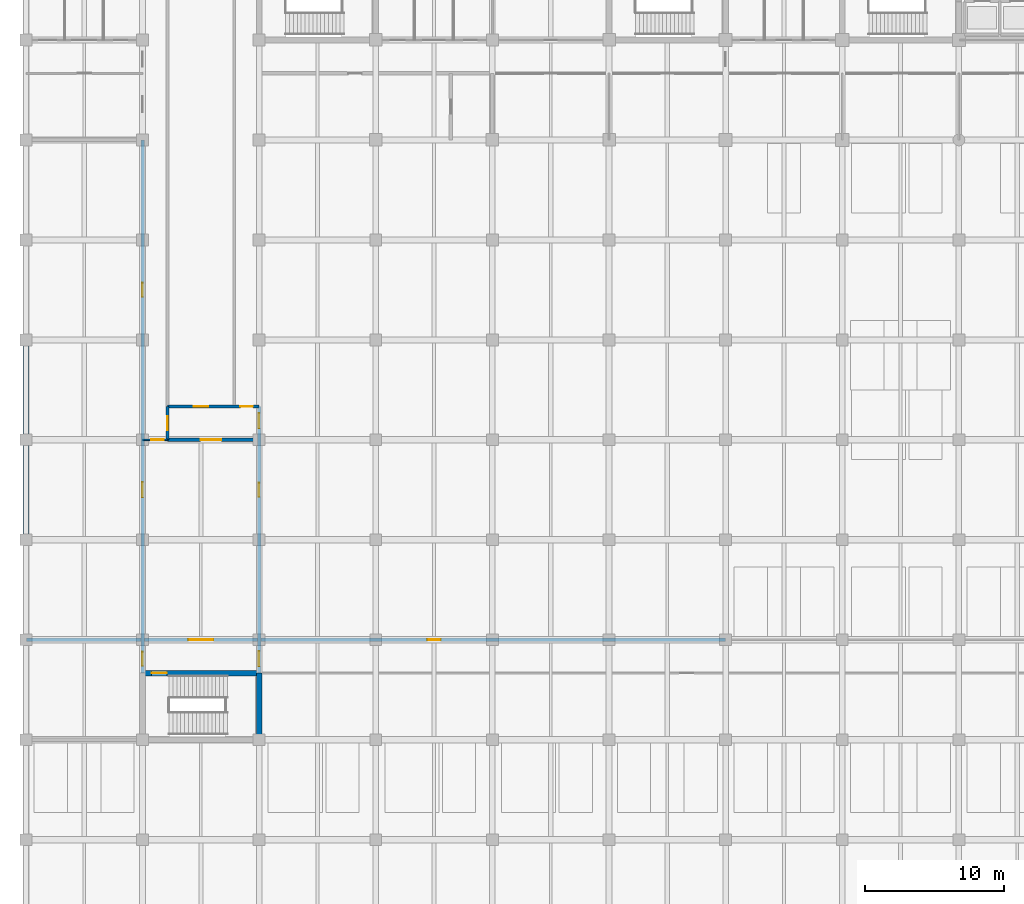
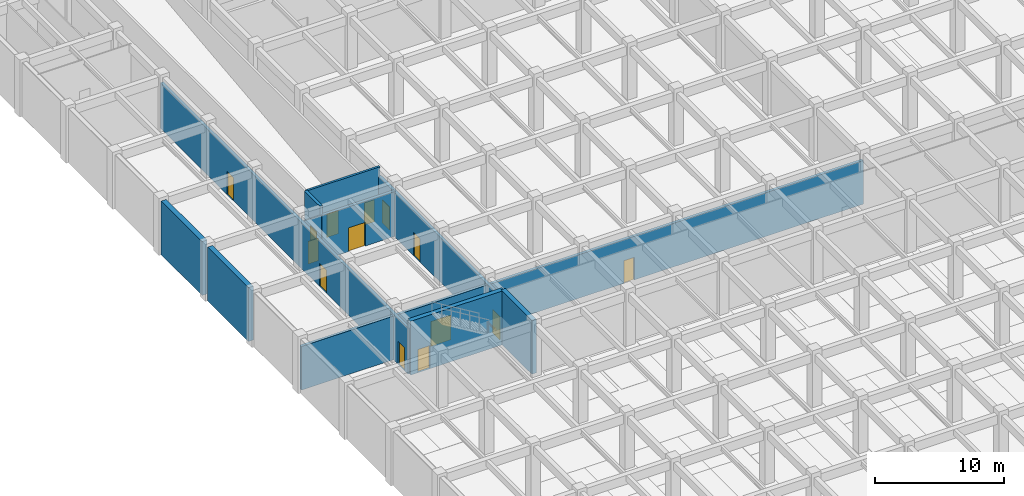
# One storey, part 13 of 48: 14 doors, 11 walls, 14 openings.
"""IFC4 building model written with IfcOpenShell, lengths in metres."""

import ifcopenshell
import ifcopenshell.guid

model = None  # the IFC model being written
_history = None  # IfcOwnerHistory: only IFC2X3 demands one
_inside = {}  # id of a spatial element -> (the spatial element, [elements in it])
_under = {}  # id of a project, library or spatial element -> (it, [spatial elements below it])
_declared = {}  # id of a project -> (the project, [libraries it declares])
_typed = {}  # id of a type object -> (the type object, [elements of that type])
_made_of = {}  # id of a material, layer set ... -> (it, [elements and type objects made of it])


def new_model(schema):
    """Start an empty IFC model of exactly this schema.

    Asked for "IFC4X3", IfcOpenShell would pick the latest addendum, in which some entities
    have other attributes; the version numbers below select the first issue.
    IFC2X3 requires an IfcOwnerHistory on every rooted entity: one is made here for all.
    """
    global model, _history
    if schema == "IFC4X3":
        model = ifcopenshell.file(schema_version=(4, 3, 0, 0))
    else:
        model = ifcopenshell.file(schema=schema)
    _inside.clear()
    _under.clear()
    _declared.clear()
    _typed.clear()
    _made_of.clear()
    _history = None
    if model.schema == "IFC2X3":
        org = make("IfcOrganization", Name="unknown")
        user = make(
            "IfcPersonAndOrganization",
            ThePerson=make("IfcPerson", FamilyName="unknown"),
            TheOrganization=org,
        )
        app = make(
            "IfcApplication",
            ApplicationDeveloper=org,
            Version="unknown",
            ApplicationFullName="unknown",
            ApplicationIdentifier="unknown",
        )
        _history = make(
            "IfcOwnerHistory",
            OwningUser=user,
            OwningApplication=app,
            ChangeAction="ADDED",
            CreationDate=0,
        )
    return model


def make(cls, **values):
    """One entity of the class cls with the attributes given. An attribute that is None is left unset."""
    return model.create_entity(
        cls, **{name: value for name, value in values.items() if value is not None}
    )


def rooted(cls, **values):
    """An entity with a GlobalId (a new one), such as an element, a storey or a relation."""
    return make(cls, GlobalId=ifcopenshell.guid.new(), OwnerHistory=_history, **values)


def si_unit(unit_type, name, prefix=None):
    """IfcSIUnit, for example si_unit("LENGTHUNIT", "METRE", prefix="MILLI")."""
    return make("IfcSIUnit", UnitType=unit_type, Prefix=prefix, Name=name)


def assignment(units):
    """IfcUnitAssignment: the units of a project."""
    return None if units is None else make("IfcUnitAssignment", Units=units)


def point(xyz):
    """IfcCartesianPoint."""
    return None if xyz is None else make("IfcCartesianPoint", Coordinates=xyz)


def direction(xyz):
    """IfcDirection."""
    return None if xyz is None else make("IfcDirection", DirectionRatios=xyz)


def frame(location, z_axis=None, x_axis=None):
    """IfcAxis2Placement3D, a coordinate frame: its origin and axes. An axis left out is left unset."""
    return make(
        "IfcAxis2Placement3D",
        Location=point(location),
        Axis=direction(z_axis),
        RefDirection=direction(x_axis),
    )


def frame_2d(location, x_axis=None):
    """IfcAxis2Placement2D, a coordinate frame in the plane: its origin and x axis."""
    return make(
        "IfcAxis2Placement2D", Location=point(location), RefDirection=direction(x_axis)
    )


def origin():
    """The frame at (0, 0, 0) with its axes left unset."""
    return frame((0.0, 0.0, 0.0))


def place(relative_to, where):
    """IfcLocalPlacement: puts the frame where relative to a parent placement (None: the world)."""
    return make(
        "IfcLocalPlacement", PlacementRelTo=relative_to, RelativePlacement=where
    )


def context(
    kind, dimensions, precision=None, world=None, true_north=None, identifier=None
):
    """IfcGeometricRepresentationContext, for example the 3D "Model" context."""
    return make(
        "IfcGeometricRepresentationContext",
        ContextIdentifier=identifier,
        ContextType=kind,
        CoordinateSpaceDimension=dimensions,
        Precision=precision,
        WorldCoordinateSystem=world,
        TrueNorth=true_north,
    )


def subcontext(parent, identifier, kind, view, scale=None):
    """IfcGeometricRepresentationSubContext, for example "Body" below "Model"."""
    return make(
        "IfcGeometricRepresentationSubContext",
        ContextIdentifier=identifier,
        ContextType=kind,
        ParentContext=parent,
        TargetScale=scale,
        TargetView=view,
    )


def project(units=None, contexts=None):
    """IfcProject with its units and contexts."""
    return rooted(
        "IfcProject",
        Name="project",
        RepresentationContexts=contexts,
        UnitsInContext=assignment(units),
    )


def spatial(cls, under=None, at=None, **own):
    """A site, building, storey or space (cls), placed at a placement, below another one or the project."""
    s = rooted(cls, ObjectPlacement=at, **own)
    if under is not None:
        _under.setdefault(under.id(), (under, []))[1].append(s)
    return s


def profile(cls, at=None, kind="AREA", **sizes):
    """A parametric profile (cls). Its sizes go by their IFC names, for example OverallWidth=200.0."""
    return make(cls, ProfileType=kind, Position=at, **sizes)


def rectangle(**sizes):
    """IfcRectangleProfileDef."""
    return profile("IfcRectangleProfileDef", **sizes)


def extrude(swept, where, along, depth):
    """IfcExtrudedAreaSolid: the profile swept, set in the frame where, extruded along a direction by depth."""
    return make(
        "IfcExtrudedAreaSolid",
        SweptArea=swept,
        Position=where,
        ExtrudedDirection=direction(along),
        Depth=depth,
    )


def shape(context_of_items, identifier, shape_type, items):
    """IfcShapeRepresentation: the items that make up one representation, for example the "Body"."""
    return make(
        "IfcShapeRepresentation",
        ContextOfItems=context_of_items,
        RepresentationIdentifier=identifier,
        RepresentationType=shape_type,
        Items=items,
    )


def material(Name=None, Category=None):
    """IfcMaterial."""
    return make("IfcMaterial", Name=Name, Category=Category)


def layer(
    of_material, thickness, ventilated=None, Name=None, Category=None, Priority=None
):
    """IfcMaterialLayer: one layer of a wall or slab, of a material (None: an air gap)."""
    return make(
        "IfcMaterialLayer",
        Material=of_material,
        LayerThickness=thickness,
        IsVentilated=ventilated,
        Name=Name,
        Category=Category,
        Priority=Priority,
    )


def layer_set(layers, Name=None):
    """IfcMaterialLayerSet."""
    return make("IfcMaterialLayerSet", MaterialLayers=layers, LayerSetName=Name)


def made_of(thing, what):
    """Note that an element or type object is made of a material, layer set ...; save() writes the relation."""
    if what is not None:
        _made_of.setdefault(what.id(), (what, []))[1].append(thing)
    return thing


def type_object(cls, material=None, **own):
    """A type object (cls), such as IfcWallType, which elements share."""
    return made_of(rooted(cls, **own), material)


def element(
    cls,
    number,
    at=None,
    inside=None,
    cuts=None,
    type_object=None,
    material=None,
    context=None,
    identifier="Body",
    shape_type=None,
    held_by="IfcProductDefinitionShape",
    body=None,
    shapes=None,
    **own,
):
    """One element of the class cls, such as IfcWall. Its Tag is "e" and its number.

    at: its placement. inside: the storey or other place that contains it. cuts: it is an
    opening in that element (IfcRelVoidsElement). A single representation is given by context,
    identifier, shape_type and body (its items); several are given by shapes. held_by: the class
    of the entity that holds the representations. save() writes the other relations.
    """
    e = rooted(cls, Tag="e%d" % number, ObjectPlacement=at, **own)
    if body is not None:
        shapes = [shape(context, identifier, shape_type, body)]
    if shapes is not None:
        e.Representation = make(held_by, Representations=shapes)
    if inside is not None:
        _inside.setdefault(inside.id(), (inside, []))[1].append(e)
    if cuts is not None:
        rooted(
            "IfcRelVoidsElement", RelatingBuildingElement=cuts, RelatedOpeningElement=e
        )
    if type_object is not None:
        _typed.setdefault(type_object.id(), (type_object, []))[1].append(e)
    return made_of(e, material)


def fill(opening, filler):
    """IfcRelFillsElement: the door or window that sits in an opening."""
    return rooted(
        "IfcRelFillsElement",
        RelatingOpeningElement=opening,
        RelatedBuildingElement=filler,
    )


def aggregate(whole, parts):
    """IfcRelAggregates: a whole, such as a stair, and the parts it consists of."""
    return rooted("IfcRelAggregates", RelatingObject=whole, RelatedObjects=parts)


def save(model, path):
    """Write the relations noted so far, then the file.

    IfcRelAggregates (storeys below a building ...), IfcRelContainedInSpatialStructure (elements
    in a storey), IfcRelDefinesByType, IfcRelAssociatesMaterial and IfcRelDeclares: one each for
    every whole, place, type object, material and project.
    """
    for whole, parts in _under.values():
        aggregate(whole, parts)
    for where, things in _inside.values():
        rooted(
            "IfcRelContainedInSpatialStructure",
            RelatedElements=things,
            RelatingStructure=where,
        )
    for kind, things in _typed.values():
        rooted("IfcRelDefinesByType", RelatedObjects=things, RelatingType=kind)
    for what, things in _made_of.values():
        rooted("IfcRelAssociatesMaterial", RelatedObjects=things, RelatingMaterial=what)
    for by, libraries in _declared.values():
        rooted("IfcRelDeclares", RelatingContext=by, RelatedDefinitions=libraries)
    model.write(path)


model = new_model("IFC4")

# Units and contexts
model_context = context("Model", 3, precision=1e-05, world=origin(), true_north=direction((0.0, 1.0)))
body_context = subcontext(model_context, "Body", "Model", "MODEL_VIEW")
ifc_project = project(units=[si_unit("LENGTHUNIT", "METRE"), si_unit("AREAUNIT", "SQUARE_METRE"), si_unit("VOLUMEUNIT", "CUBIC_METRE"), si_unit("PLANEANGLEUNIT", "RADIAN"), si_unit("MASSUNIT", "GRAM", prefix="KILO")], contexts=[model_context])

# Site, building, storey
site_placement = place(None, origin())
site = spatial("IfcSite", under=ifc_project, at=site_placement, CompositionType="ELEMENT")
building_placement = place(site_placement, origin())
building = spatial("IfcBuilding", under=site, at=building_placement, Name="Chengyuan Square Courthouse", CompositionType="ELEMENT")
storey_placement = place(building_placement, frame((0.0, 0.0, -5.39990234375)))
storey = spatial("IfcBuildingStorey", under=building, at=storey_placement, Name="B01", CompositionType="ELEMENT", Elevation=-5.39990234375)

# Wall, openings, doors
ifc_material_1 = material(Name="Concrete C40", Category="concrete")
ifc_layer_1 = layer(ifc_material_1, 0.25)
ifc_layer_set_1 = layer_set([ifc_layer_1], Name="Concrete C40")
wall_type_1 = type_object("IfcWallType", Name="WL-FW1", PredefinedType="STANDARD", material=ifc_layer_set_1)
wall_1_placement = place(storey_placement, frame((0.0400390625, 43.199951171875, 0.0), z_axis=(0.0, 0.0, 1.0), x_axis=(1.0, 0.0, 0.0)))
wall_1 = element("IfcWall", 1, at=wall_1_placement, inside=storey, type_object=wall_type_1, Name="Interior Wall WL-B01-I288", PredefinedType="STANDARD", context=body_context, shape_type="SweptSolid", body=[
    extrude(rectangle(XDim=50.35986328125, YDim=0.25, at=frame_2d((25.179931640625, 0.0))), origin(), (0.0, 0.0, 1.0), 4.1298828125),
])
opening_1_placement = place(wall_1_placement, frame((11.659912109375, 0.0, 0.0)))
opening_1 = element("IfcOpeningElement", 2, at=opening_1_placement, cuts=wall_1, Name="Opening DR-365", PredefinedType="OPENING", context=body_context, shape_type="SweptSolid", body=[
    extrude(rectangle(XDim=1.800048828125, YDim=2.35009765625, at=frame_2d((0.89990234375, 1.175048828125))), frame((0.0, 0.136962890625, 0.0), z_axis=(0.0, -1.0, 0.0), x_axis=(1.0, 0.0, 0.0)), (0.0, 0.0, 1.0), 0.27392578125),
])
opening_2_placement = place(wall_1_placement, frame((28.885009765625, 0.0, 0.0)))
opening_2 = element("IfcOpeningElement", 3, at=opening_2_placement, cuts=wall_1, Name="Opening DR-650", PredefinedType="OPENING", context=body_context, shape_type="SweptSolid", body=[
    extrude(rectangle(XDim=0.949951171875, YDim=2.14990234375, at=frame_2d((0.47509765625, 1.074951171875))), frame((0.0, 0.136962890625, 0.0), z_axis=(0.0, -1.0, 0.0), x_axis=(1.0, 0.0, 0.0)), (0.0, 0.0, 1.0), 0.27392578125),
])
ifc_material_2 = material(Name="Steel Q235B Fire Door", Category="steel")
door_type_1 = type_object("IfcDoorType", Name="DT-12", OperationType="NOTDEFINED", PredefinedType="DOOR", material=ifc_material_2)
door_1_placement = place(opening_2_placement, origin())
door_1 = element("IfcDoor", 4, at=door_1_placement, inside=storey, type_object=door_type_1, Name="Interior Door DR-650", OperationType="SINGLE_SWING_LEFT", OverallHeight=2.14990234375, OverallWidth=0.949951171875, PredefinedType="DOOR", context=body_context, shape_type="SweptSolid", body=[
    extrude(rectangle(XDim=0.949951171875, YDim=2.14990234375, at=frame_2d((0.47509765625, 1.074951171875))), frame((0.0, 0.02490234375, 0.0), z_axis=(0.0, -1.0, 0.0), x_axis=(1.0, 0.0, 0.0)), (0.0, 0.0, 1.0), 0.050048828125),
])
fill(opening_2, door_1)
ifc_material_3 = material(Name="Steel Q235B Glazed Fire Door", Category="steel")
door_type_2 = type_object("IfcDoorType", Name="DT-18", OperationType="DOUBLE_DOOR_SINGLE_SWING", PredefinedType="DOOR", material=ifc_material_3)
door_2_placement = place(opening_1_placement, frame((1.800048828125, 0.0, 0.0), z_axis=(0.0, 0.0, 1.0), x_axis=(-1.0, 0.0, 0.0)))
door_2 = element("IfcDoor", 5, at=door_2_placement, inside=storey, type_object=door_type_2, Name="Interior Door DR-365", OperationType="DOUBLE_DOOR_SINGLE_SWING", OverallHeight=2.35009765625, OverallWidth=1.800048828125, PredefinedType="DOOR", context=body_context, shape_type="SweptSolid", body=[
    extrude(rectangle(XDim=1.800048828125, YDim=2.35009765625, at=frame_2d((0.89990234375, 1.175048828125))), frame((0.0, 0.02490234375, 0.0), z_axis=(0.0, -1.0, 0.0), x_axis=(1.0, 0.0, 0.0)), (0.0, 0.0, 1.0), 0.050048828125),
])
fill(opening_1, door_2)

# Wall, opening, door
wall_2_placement = place(storey_placement, frame((10.199951171875, 57.60009765625, 0.0), z_axis=(0.0, 0.0, 1.0), x_axis=(1.0, 0.0, 0.0)))
wall_2 = element("IfcWall", 6, at=wall_2_placement, inside=storey, type_object=wall_type_1, Name="Interior Wall WL-B01-I293", PredefinedType="STANDARD", context=body_context, shape_type="SweptSolid", body=[
    extrude(rectangle(XDim=6.60009765625, YDim=0.25, at=frame_2d((3.300048828125, 0.0))), origin(), (0.0, 0.0, 1.0), 4.25),
])
opening_3_placement = place(wall_2_placement, frame((2.37744140625, 0.0, 0.0)))
opening_3 = element("IfcOpeningElement", 7, at=opening_3_placement, cuts=wall_2, Name="Opening DR-386", PredefinedType="OPENING", context=body_context, shape_type="SweptSolid", body=[
    extrude(rectangle(XDim=1.5, YDim=2.25, at=frame_2d((0.75, 1.125))), frame((0.0, 0.136962890625, 0.0), z_axis=(0.0, -1.0, 0.0), x_axis=(1.0, 0.0, 0.0)), (0.0, 0.0, 1.0), 0.27392578125),
])
door_type_3 = type_object("IfcDoorType", Name="DT-19", OperationType="DOUBLE_DOOR_SINGLE_SWING", PredefinedType="DOOR", material=ifc_material_3)
door_3_placement = place(opening_3_placement, frame((1.5, 0.0, 0.0), z_axis=(0.0, 0.0, 1.0), x_axis=(-1.0, 0.0, 0.0)))
door_3 = element("IfcDoor", 8, at=door_3_placement, inside=storey, type_object=door_type_3, Name="Interior Door DR-386", OperationType="DOUBLE_DOOR_SINGLE_SWING", OverallHeight=2.25, OverallWidth=1.5, PredefinedType="DOOR", context=body_context, shape_type="SweptSolid", body=[
    extrude(rectangle(XDim=1.5, YDim=2.25, at=frame_2d((0.75, 1.125))), frame((0.0, 0.02490234375, 0.0), z_axis=(0.0, -1.0, 0.0), x_axis=(1.0, 0.0, 0.0)), (0.0, 0.0, 1.0), 0.050048828125),
])
fill(opening_3, door_3)

# Wall, openings, doors
wall_3_placement = place(storey_placement, frame((8.39990234375, 40.800048828125, 0.0), z_axis=(0.0, 0.0, 1.0), x_axis=(0.0, 1.0, 0.0)))
wall_3 = element("IfcWall", 9, at=wall_3_placement, inside=storey, type_object=wall_type_1, Name="Interior Wall WL-B01-I433", PredefinedType="STANDARD", context=body_context, shape_type="SweptSolid", body=[
    extrude(rectangle(XDim=38.39990234375, YDim=0.25, at=frame_2d((19.199951171875, 0.0))), origin(), (0.0, 0.0, 1.0), 4.349853515625),
])
opening_4_placement = place(wall_3_placement, frame((0.527587890625, 0.0, 0.0)))
opening_4 = element("IfcOpeningElement", 10, at=opening_4_placement, cuts=wall_3, Name="Opening DR-364", PredefinedType="OPENING", context=body_context, shape_type="SweptSolid", body=[
    extrude(rectangle(XDim=1.0, YDim=2.199951171875, at=frame_2d((0.5, 1.10009765625))), frame((0.0, 0.136962890625, 0.0), z_axis=(0.0, -1.0, 0.0), x_axis=(1.0, 0.0, 0.0)), (0.0, 0.0, 1.0), 0.27392578125),
])
opening_5_placement = place(wall_3_placement, frame((27.10009765625, 0.0, 0.0)))
opening_5 = element("IfcOpeningElement", 11, at=opening_5_placement, cuts=wall_3, Name="Opening DR-382", PredefinedType="OPENING", context=body_context, shape_type="SweptSolid", body=[
    extrude(rectangle(XDim=1.0, YDim=2.199951171875, at=frame_2d((0.5, 1.10009765625))), frame((0.0, 0.136962890625, 0.0), z_axis=(0.0, -1.0, 0.0), x_axis=(1.0, 0.0, 0.0)), (0.0, 0.0, 1.0), 0.27392578125),
])
opening_6_placement = place(wall_3_placement, frame((12.64990234375, 0.0, 0.0)))
opening_6 = element("IfcOpeningElement", 12, at=opening_6_placement, cuts=wall_3, Name="Opening DR-654", PredefinedType="OPENING", context=body_context, shape_type="SweptSolid", body=[
    extrude(rectangle(XDim=1.10009765625, YDim=2.199951171875, at=frame_2d((0.550048828125, 1.10009765625))), frame((0.0, 0.136962890625, 0.0), z_axis=(0.0, -1.0, 0.0), x_axis=(1.0, 0.0, 0.0)), (0.0, 0.0, 1.0), 0.27392578125),
])
door_type_4 = type_object("IfcDoorType", Name="DT-10", OperationType="NOTDEFINED", PredefinedType="DOOR", material=ifc_material_2)
door_4_placement = place(opening_6_placement, origin())
door_4 = element("IfcDoor", 13, at=door_4_placement, inside=storey, type_object=door_type_4, Name="Interior Door DR-654", OperationType="SINGLE_SWING_LEFT", OverallHeight=2.199951171875, OverallWidth=1.10009765625, PredefinedType="DOOR", context=body_context, shape_type="SweptSolid", body=[
    extrude(rectangle(XDim=1.10009765625, YDim=2.199951171875, at=frame_2d((0.550048828125, 1.10009765625))), frame((0.0, 0.02490234375, 0.0), z_axis=(0.0, -1.0, 0.0), x_axis=(1.0, 0.0, 0.0)), (0.0, 0.0, 1.0), 0.050048828125),
])
fill(opening_6, door_4)
door_type_5 = type_object("IfcDoorType", Name="DT-11", OperationType="NOTDEFINED", PredefinedType="DOOR", material=ifc_material_2)
door_5_placement = place(opening_4_placement, origin())
door_5 = element("IfcDoor", 14, at=door_5_placement, inside=storey, type_object=door_type_5, Name="Interior Door DR-364", OperationType="SINGLE_SWING_LEFT", OverallHeight=2.199951171875, OverallWidth=1.0, PredefinedType="DOOR", context=body_context, shape_type="SweptSolid", body=[
    extrude(rectangle(XDim=1.0, YDim=2.199951171875, at=frame_2d((0.5, 1.10009765625))), frame((0.0, 0.02490234375, 0.0), z_axis=(0.0, -1.0, 0.0), x_axis=(1.0, 0.0, 0.0)), (0.0, 0.0, 1.0), 0.050048828125),
])
fill(opening_4, door_5)
door_6_placement = place(opening_5_placement, origin())
door_6 = element("IfcDoor", 15, at=door_6_placement, inside=storey, type_object=door_type_5, Name="Interior Door DR-382", OperationType="SINGLE_SWING_LEFT", OverallHeight=2.199951171875, OverallWidth=1.0, PredefinedType="DOOR", context=body_context, shape_type="SweptSolid", body=[
    extrude(rectangle(XDim=1.0, YDim=2.199951171875, at=frame_2d((0.5, 1.10009765625))), frame((0.0, 0.02490234375, 0.0), z_axis=(0.0, -1.0, 0.0), x_axis=(1.0, 0.0, 0.0)), (0.0, 0.0, 1.0), 0.050048828125),
])
fill(opening_5, door_6)

# Wall, opening, door
wall_4_placement = place(storey_placement, frame((10.199951171875, 57.60009765625, 0.0), z_axis=(0.0, 0.0, 1.0), x_axis=(0.0, 1.0, 0.0)))
wall_4 = element("IfcWall", 16, at=wall_4_placement, inside=storey, type_object=wall_type_1, Name="Interior Wall WL-B01-I436", PredefinedType="STANDARD", context=body_context, shape_type="SweptSolid", body=[
    extrude(rectangle(XDim=2.39990234375, YDim=0.25, at=frame_2d((1.199951171875, 0.0))), origin(), (0.0, 0.0, 1.0), 5.099853515625),
])
opening_7_placement = place(wall_4_placement, frame((0.699951171875, 0.0, 0.0)))
opening_7 = element("IfcOpeningElement", 17, at=opening_7_placement, cuts=wall_4, Name="Opening DR-373", PredefinedType="OPENING", context=body_context, shape_type="SweptSolid", body=[
    extrude(rectangle(XDim=1.0, YDim=2.199951171875, at=frame_2d((0.5, 1.10009765625))), frame((0.0, 0.136962890625, 0.0), z_axis=(0.0, -1.0, 0.0), x_axis=(1.0, 0.0, 0.0)), (0.0, 0.0, 1.0), 0.27392578125),
])
door_7_placement = place(opening_7_placement, origin())
door_7 = element("IfcDoor", 18, at=door_7_placement, inside=storey, type_object=door_type_5, Name="Interior Door DR-373", OperationType="SINGLE_SWING_RIGHT", OverallHeight=2.199951171875, OverallWidth=1.0, PredefinedType="DOOR", context=body_context, shape_type="SweptSolid", body=[
    extrude(rectangle(XDim=1.0, YDim=2.199951171875, at=frame_2d((0.5, 1.10009765625))), frame((0.0, 0.02490234375, 0.0), z_axis=(0.0, -1.0, 0.0), x_axis=(1.0, 0.0, 0.0)), (0.0, 0.0, 1.0), 0.050048828125),
])
fill(opening_7, door_7)

# Wall, openings, doors
wall_5_placement = place(storey_placement, frame((16.800048828125, 40.800048828125, 0.0), z_axis=(0.0, 0.0, 1.0), x_axis=(0.0, 1.0, 0.0)))
wall_5 = element("IfcWall", 19, at=wall_5_placement, inside=storey, type_object=wall_type_1, Name="Interior Wall WL-B01-I440", PredefinedType="STANDARD", context=body_context, shape_type="SweptSolid", body=[
    extrude(rectangle(XDim=19.199951171875, YDim=0.25, at=frame_2d((9.60009765625, 0.0))), origin(), (0.0, 0.0, 1.0), 4.22998046875),
])
opening_8_placement = place(wall_5_placement, frame((0.4775390625, 0.0, 0.0)))
opening_8 = element("IfcOpeningElement", 20, at=opening_8_placement, cuts=wall_5, Name="Opening DR-363", PredefinedType="OPENING", context=body_context, shape_type="SweptSolid", body=[
    extrude(rectangle(XDim=1.10009765625, YDim=2.199951171875, at=frame_2d((0.550048828125, 1.10009765625))), frame((0.0, 0.136962890625, 0.0), z_axis=(0.0, -1.0, 0.0), x_axis=(1.0, 0.0, 0.0)), (0.0, 0.0, 1.0), 0.27392578125),
])
opening_9_placement = place(wall_5_placement, frame((17.62255859375, 0.0, 0.0)))
opening_9 = element("IfcOpeningElement", 21, at=opening_9_placement, cuts=wall_5, Name="Opening DR-387", PredefinedType="OPENING", context=body_context, shape_type="SweptSolid", body=[
    extrude(rectangle(XDim=1.10009765625, YDim=2.199951171875, at=frame_2d((0.550048828125, 1.10009765625))), frame((0.0, 0.136962890625, 0.0), z_axis=(0.0, -1.0, 0.0), x_axis=(1.0, 0.0, 0.0)), (0.0, 0.0, 1.0), 0.27392578125),
])
opening_10_placement = place(wall_5_placement, frame((12.699951171875, 0.0, 0.0)))
opening_10 = element("IfcOpeningElement", 22, at=opening_10_placement, cuts=wall_5, Name="Opening DR-655", PredefinedType="OPENING", context=body_context, shape_type="SweptSolid", body=[
    extrude(rectangle(XDim=1.0, YDim=2.199951171875, at=frame_2d((0.5, 1.10009765625))), frame((0.0, 0.136962890625, 0.0), z_axis=(0.0, -1.0, 0.0), x_axis=(1.0, 0.0, 0.0)), (0.0, 0.0, 1.0), 0.27392578125),
])
door_8_placement = place(opening_8_placement, origin())
door_8 = element("IfcDoor", 23, at=door_8_placement, inside=storey, type_object=door_type_4, Name="Interior Door DR-363", OperationType="SINGLE_SWING_RIGHT", OverallHeight=2.199951171875, OverallWidth=1.10009765625, PredefinedType="DOOR", context=body_context, shape_type="SweptSolid", body=[
    extrude(rectangle(XDim=1.10009765625, YDim=2.199951171875, at=frame_2d((0.550048828125, 1.10009765625))), frame((0.0, 0.02490234375, 0.0), z_axis=(0.0, -1.0, 0.0), x_axis=(1.0, 0.0, 0.0)), (0.0, 0.0, 1.0), 0.050048828125),
])
fill(opening_8, door_8)
door_9_placement = place(opening_9_placement, origin())
door_9 = element("IfcDoor", 24, at=door_9_placement, inside=storey, type_object=door_type_4, Name="Interior Door DR-387", OperationType="SINGLE_SWING_LEFT", OverallHeight=2.199951171875, OverallWidth=1.10009765625, PredefinedType="DOOR", context=body_context, shape_type="SweptSolid", body=[
    extrude(rectangle(XDim=1.10009765625, YDim=2.199951171875, at=frame_2d((0.550048828125, 1.10009765625))), frame((0.0, 0.02490234375, 0.0), z_axis=(0.0, -1.0, 0.0), x_axis=(1.0, 0.0, 0.0)), (0.0, 0.0, 1.0), 0.050048828125),
])
fill(opening_9, door_9)
door_10_placement = place(opening_10_placement, origin())
door_10 = element("IfcDoor", 25, at=door_10_placement, inside=storey, type_object=door_type_5, Name="Interior Door DR-655", OperationType="SINGLE_SWING_RIGHT", OverallHeight=2.199951171875, OverallWidth=1.0, PredefinedType="DOOR", context=body_context, shape_type="SweptSolid", body=[
    extrude(rectangle(XDim=1.0, YDim=2.199951171875, at=frame_2d((0.5, 1.10009765625))), frame((0.0, 0.02490234375, 0.0), z_axis=(0.0, -1.0, 0.0), x_axis=(1.0, 0.0, 0.0)), (0.0, 0.0, 1.0), 0.050048828125),
])
fill(opening_10, door_10)

# Wall, opening, door
ifc_material_4 = material(Name="Gypsum Plasterboard Acoustic Stud Partition")
ifc_layer_2 = layer(ifc_material_4, 0.10009765625)
ifc_layer_set_2 = layer_set([ifc_layer_2], Name="Gypsum Plasterboard Acoustic Stud Partition")
wall_type_2 = type_object("IfcWallType", Name="WL-PT6", PredefinedType="STANDARD", material=ifc_layer_set_2)
wall_6_placement = place(storey_placement, frame((8.39990234375, 57.60009765625, 0.0), z_axis=(0.0, 0.0, 1.0), x_axis=(1.0, 0.0, 0.0)))
wall_6 = element("IfcWall", 26, at=wall_6_placement, inside=storey, type_object=wall_type_2, Name="Interior Wall WL-B01-I292", PredefinedType="STANDARD", context=body_context, shape_type="SweptSolid", body=[
    extrude(rectangle(XDim=1.800048828125, YDim=0.10009765625, at=frame_2d((0.89990234375, 0.0))), origin(), (0.0, 0.0, 1.0), 4.25),
])
opening_11_placement = place(wall_6_placement, frame((0.62255859375, 0.0, 0.0)))
opening_11 = element("IfcOpeningElement", 27, at=opening_11_placement, cuts=wall_6, Name="Opening DR-383", PredefinedType="OPENING", context=body_context, shape_type="SweptSolid", body=[
    extrude(rectangle(XDim=0.89990234375, YDim=2.14990234375, at=frame_2d((0.449951171875, 1.074951171875))), frame((0.0, 0.06201171875, 0.0), z_axis=(0.0, -1.0, 0.0), x_axis=(1.0, 0.0, 0.0)), (0.0, 0.0, 1.0), 0.1240234375),
])
ifc_material_5 = material(Name="Acoustic Solid-Core Timber Door", Category="wood")
door_type_6 = type_object("IfcDoorType", Name="DT-27", OperationType="NOTDEFINED", PredefinedType="DOOR", material=ifc_material_5)
door_11_placement = place(opening_11_placement, origin())
door_11 = element("IfcDoor", 28, at=door_11_placement, inside=storey, type_object=door_type_6, Name="Interior Door DR-383", OperationType="SINGLE_SWING_RIGHT", OverallHeight=2.14990234375, OverallWidth=0.89990234375, PredefinedType="DOOR", context=body_context, shape_type="SweptSolid", body=[
    extrude(rectangle(XDim=0.89990234375, YDim=2.14990234375, at=frame_2d((0.449951171875, 1.074951171875))), frame((0.0, 0.02490234375, 0.0), z_axis=(0.0, -1.0, 0.0), x_axis=(1.0, 0.0, 0.0)), (0.0, 0.0, 1.0), 0.050048828125),
])
fill(opening_11, door_11)

# Walls
ifc_layer_3 = layer(ifc_material_1, 0.449951171875)
ifc_layer_set_3 = layer_set([ifc_layer_3], Name="Concrete C40")
wall_type_3 = type_object("IfcWallType", Name="WL-RW2", PredefinedType="USERDEFINED", material=ifc_layer_set_3)
for number, where, z_axis, x_axis, name in (
    (29, (0.0, 50.820068359375, 0.0), (0.0, 0.0, 1.0), (0.0, 1.0, 0.0), "Basement Retaining Wall WL-B01-E081"),
    (30, (0.0, 58.02001953125, 0.0), (0.0, 0.0, 1.0), (0.0, 1.0, 0.0), "Basement Retaining Wall WL-B01-E082"),
):
    element("IfcWall", number, at=place(storey_placement, frame(where, z_axis=z_axis, x_axis=x_axis)), inside=storey, type_object=wall_type_3, Name=name, ObjectType="RETAININGWALL", PredefinedType="USERDEFINED", context=body_context, shape_type="SweptSolid", body=[
        extrude(rectangle(XDim=6.35986328125, YDim=0.449951171875, at=frame_2d((3.179931640625, 0.0))), origin(), (0.0, 0.0, 1.0), 5.099853515625),
    ])

# Wall, openings, doors
ifc_material_6 = material(Name="Reinforced Masonry Shaft Enclosure", Category="masonry")
ifc_layer_4 = layer(ifc_material_6, 0.199951171875)
ifc_layer_set_4 = layer_set([ifc_layer_4], Name="Reinforced Masonry Shaft Enclosure")
wall_type_4 = type_object("IfcWallType", Name="WL-SH1", PredefinedType="STANDARD", material=ifc_layer_set_4)
wall_7_placement = place(storey_placement, frame((10.199951171875, 60.0, 0.0), z_axis=(0.0, 0.0, 1.0), x_axis=(1.0, 0.0, 0.0)))
wall_7 = element("IfcWall", 31, at=wall_7_placement, inside=storey, type_object=wall_type_4, Name="Interior Wall WL-B01-I294", PredefinedType="STANDARD", context=body_context, shape_type="SweptSolid", body=[
    extrude(rectangle(XDim=6.60009765625, YDim=0.199951171875, at=frame_2d((3.300048828125, 0.0))), origin(), (0.0, 0.0, 1.0), 5.099853515625),
])
opening_12_placement = place(wall_7_placement, frame((1.875, 0.0, 0.0)))
opening_12 = element("IfcOpeningElement", 32, at=opening_12_placement, cuts=wall_7, Name="Opening DR-384", PredefinedType="OPENING", context=body_context, shape_type="SweptSolid", body=[
    extrude(rectangle(XDim=1.050048828125, YDim=2.199951171875, at=frame_2d((0.52490234375, 1.10009765625))), frame((0.0, 0.112060546875, 0.0), z_axis=(0.0, -1.0, 0.0), x_axis=(1.0, 0.0, 0.0)), (0.0, 0.0, 1.0), 0.223876953125),
])
opening_13_placement = place(wall_7_placement, frame((5.25, 0.0, 0.0)))
opening_13 = element("IfcOpeningElement", 33, at=opening_13_placement, cuts=wall_7, Name="Opening DR-385", PredefinedType="OPENING", context=body_context, shape_type="SweptSolid", body=[
    extrude(rectangle(XDim=0.89990234375, YDim=2.10009765625, at=frame_2d((0.449951171875, 1.050048828125))), frame((0.0, 0.112060546875, 0.0), z_axis=(0.0, -1.0, 0.0), x_axis=(1.0, 0.0, 0.0)), (0.0, 0.0, 1.0), 0.223876953125),
])
door_type_7 = type_object("IfcDoorType", Name="DT-13", OperationType="NOTDEFINED", PredefinedType="DOOR", material=ifc_material_2)
door_12_placement = place(opening_12_placement, origin())
door_12 = element("IfcDoor", 34, at=door_12_placement, inside=storey, type_object=door_type_7, Name="Interior Door DR-384", OperationType="SINGLE_SWING_LEFT", OverallHeight=2.199951171875, OverallWidth=1.050048828125, PredefinedType="DOOR", context=body_context, shape_type="SweptSolid", body=[
    extrude(rectangle(XDim=1.050048828125, YDim=2.199951171875, at=frame_2d((0.52490234375, 1.10009765625))), frame((0.0, 0.02490234375, 0.0), z_axis=(0.0, -1.0, 0.0), x_axis=(1.0, 0.0, 0.0)), (0.0, 0.0, 1.0), 0.050048828125),
])
fill(opening_12, door_12)
door_type_8 = type_object("IfcDoorType", Name="DT-14", OperationType="NOTDEFINED", PredefinedType="DOOR", material=ifc_material_2)
door_13_placement = place(opening_13_placement, origin())
door_13 = element("IfcDoor", 35, at=door_13_placement, inside=storey, type_object=door_type_8, Name="Interior Door DR-385", OperationType="SINGLE_SWING_RIGHT", OverallHeight=2.10009765625, OverallWidth=0.89990234375, PredefinedType="DOOR", context=body_context, shape_type="SweptSolid", body=[
    extrude(rectangle(XDim=0.89990234375, YDim=2.10009765625, at=frame_2d((0.449951171875, 1.050048828125))), frame((0.0, 0.02490234375, 0.0), z_axis=(0.0, -1.0, 0.0), x_axis=(1.0, 0.0, 0.0)), (0.0, 0.0, 1.0), 0.050048828125),
])
fill(opening_13, door_13)

# Wall, opening, door
ifc_material_7 = material(Name="Concrete C50", Category="concrete")
ifc_layer_5 = layer(ifc_material_7, 0.39990234375)
ifc_layer_set_5 = layer_set([ifc_layer_5], Name="Concrete C50")
wall_type_5 = type_object("IfcWallType", Name="WL-SW1", PredefinedType="SHEAR", material=ifc_layer_set_5)
wall_8_placement = place(storey_placement, frame((8.39990234375, 40.800048828125, 0.0), z_axis=(0.0, 0.0, 1.0), x_axis=(1.0, 0.0, 0.0)))
wall_8 = element("IfcWall", 36, at=wall_8_placement, inside=storey, type_object=wall_type_5, Name="Interior Wall WL-B01-I284", PredefinedType="SHEAR", context=body_context, shape_type="SweptSolid", body=[
    extrude(rectangle(XDim=8.400146484375, YDim=0.39990234375, at=frame_2d((4.2001953125, 0.0))), origin(), (0.0, 0.0, 1.0), 5.099853515625),
])
opening_14_placement = place(wall_8_placement, frame((0.64990234375, 0.0, 0.0)))
opening_14 = element("IfcOpeningElement", 37, at=opening_14_placement, cuts=wall_8, Name="Opening DR-341", PredefinedType="OPENING", context=body_context, shape_type="SweptSolid", body=[
    extrude(rectangle(XDim=1.10009765625, YDim=2.199951171875, at=frame_2d((0.550048828125, 1.10009765625))), frame((0.0, 0.2119140625, 0.0), z_axis=(0.0, -1.0, 0.0), x_axis=(1.0, 0.0, 0.0)), (0.0, 0.0, 1.0), 0.423828125),
])
door_14_placement = place(opening_14_placement, frame((1.10009765625, 0.0, 0.0), z_axis=(0.0, 0.0, 1.0), x_axis=(-1.0, 0.0, 0.0)))
door_14 = element("IfcDoor", 38, at=door_14_placement, inside=storey, type_object=door_type_4, Name="Smoke-Proof Stairwell Fire Door ST-7 DR-341", OperationType="SINGLE_SWING_RIGHT", OverallHeight=2.199951171875, OverallWidth=1.10009765625, PredefinedType="DOOR", context=body_context, shape_type="SweptSolid", body=[
    extrude(rectangle(XDim=1.10009765625, YDim=2.199951171875, at=frame_2d((0.550048828125, 1.10009765625))), frame((0.0, 0.02490234375, 0.0), z_axis=(0.0, -1.0, 0.0), x_axis=(1.0, 0.0, 0.0)), (0.0, 0.0, 1.0), 0.050048828125),
])
fill(opening_14, door_14)

# Wall
wall_9_placement = place(storey_placement, frame((16.800048828125, 36.0, 0.0), z_axis=(0.0, 0.0, 1.0), x_axis=(0.0, 1.0, 0.0)))
element("IfcWall", 39, at=wall_9_placement, inside=storey, type_object=wall_type_5, Name="Interior Wall WL-B01-I439", PredefinedType="SHEAR", context=body_context, shape_type="SweptSolid", body=[
    extrude(rectangle(XDim=4.800048828125, YDim=0.39990234375, at=frame_2d((2.39990234375, 0.0))), origin(), (0.0, 0.0, 1.0), 5.099853515625),
])

save(model, "model.ifc")
